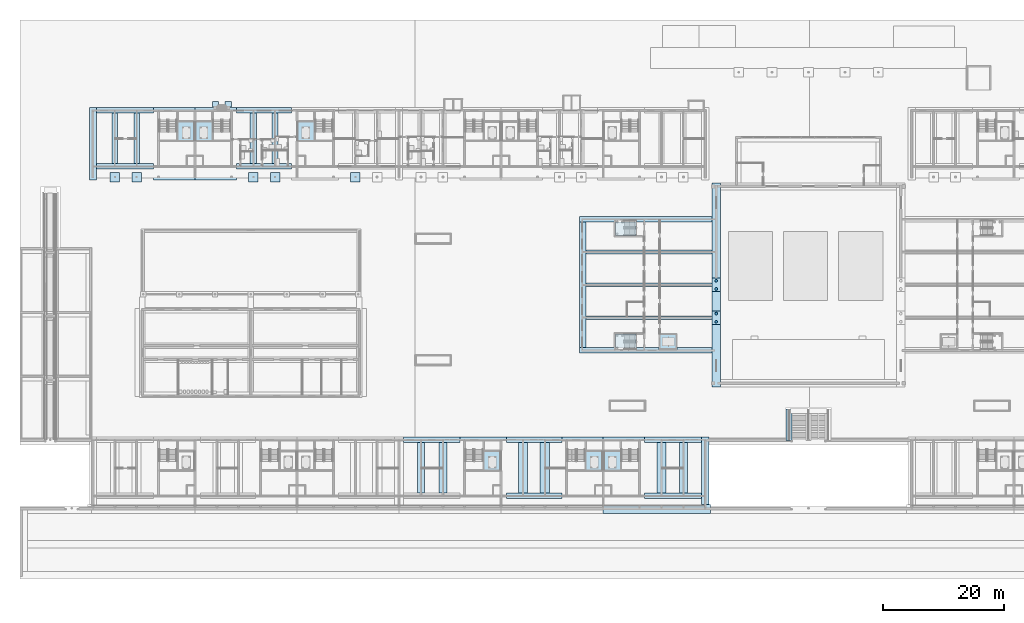
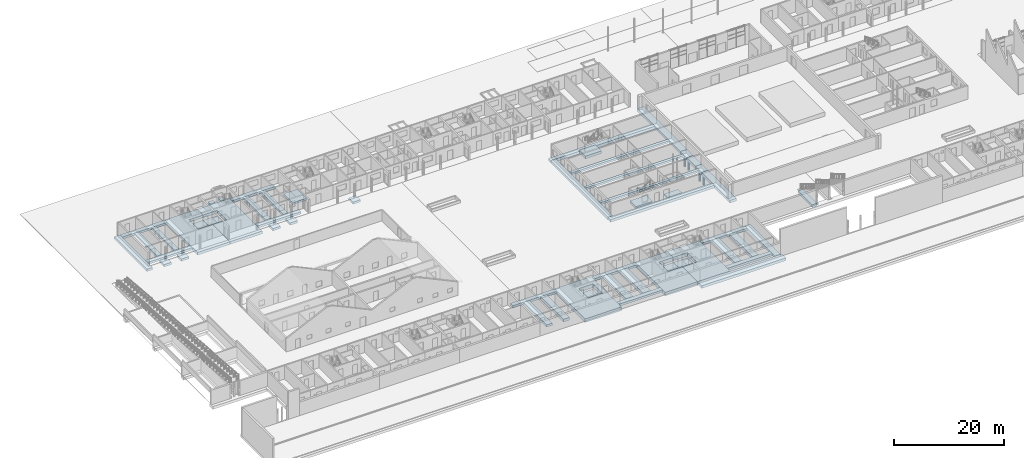
# One storey, part 2 of 112: 55 footings, 4 piles.
"""IFC4 building model written with IfcOpenShell, lengths in metres."""

from ifc_helpers import new_model, si_unit, direction, frame, origin, origin_2d, place, context, subcontext, project, spatial, polyline, circle, outline, extrude, material, material_profile, profile_set, type_object, element, save


model = new_model("IFC4")

# Units and contexts
model_context = context("Model", 3, precision=1e-05, world=origin(), true_north=direction((0.0, 1.0)))
body_context = subcontext(model_context, "Body", "Model", "MODEL_VIEW")
ifc_project = project(units=[si_unit("LENGTHUNIT", "METRE"), si_unit("AREAUNIT", "SQUARE_METRE"), si_unit("VOLUMEUNIT", "CUBIC_METRE"), si_unit("PLANEANGLEUNIT", "RADIAN"), si_unit("MASSUNIT", "GRAM", prefix="KILO")], contexts=[model_context])

# Site, building, storey
site_placement = place(None, origin())
site = spatial("IfcSite", under=ifc_project, at=site_placement, CompositionType="ELEMENT")
building_placement = place(site_placement, origin())
building = spatial("IfcBuilding", under=site, at=building_placement, Name="Ridgestep Commons", CompositionType="ELEMENT")
storey_placement = place(building_placement, origin())
storey = spatial("IfcBuildingStorey", under=building, at=storey_placement, Name="L00", CompositionType="ELEMENT", Elevation=0.0)

# Piles
ifc_material_1 = material(Name="Concrete C30/37", Category="concrete")
ifc_material_profile = material_profile(ifc_material_1, circle(Radius=0.22509765625, at=origin_2d()), Name="Pile D450")
ifc_profile_set = profile_set([ifc_material_profile], Name="Concrete C30/37")
pile_type = type_object("IfcPileType", Name="Bored pile 450", PredefinedType="BORED", material=ifc_profile_set)
for number, where, z_axis, x_axis, name in (
    (1, (114.60009765625, 42.324951171875, -0.75), (0.0, 0.0, -1.0), (1.0, 0.0, 0.0), "Bored pile 450 hall W1.1"),
    (2, (114.60009765625, 43.675048828125, -0.75), (0.0, 0.0, -1.0), (1.0, 0.0, 0.0), "Bored pile 450 hall W1.2"),
    (3, (114.60009765625, 47.72509765625, -0.75), (0.0, 0.0, -1.0), (1.0, 0.0, 0.0), "Bored pile 450 hall W2.1"),
    (4, (114.60009765625, 49.074951171875, -0.75), (0.0, 0.0, -1.0), (1.0, 0.0, 0.0), "Bored pile 450 hall W2.2"),
):
    element("IfcPile", number, at=place(storey_placement, frame(where, z_axis=z_axis, x_axis=x_axis)), inside=storey, type_object=pile_type, Name=name, PredefinedType="BORED", context=body_context, shape_type="SweptSolid", body=[
        extrude(circle(Radius=0.22509765625, at=origin_2d()), origin(), (0.0, 0.0, 1.0), 2.75),
    ])

# Footings
ifc_material_2 = material(Name="Concrete C30/37", Category="concrete")
footing_type_1 = type_object("IfcFootingType", Name="Community lift pit raft 3000 x 3400", PredefinedType="PAD_FOOTING", material=ifc_material_2)
footing_1_placement = place(storey_placement, frame((0.0, 0.0, -1.35009765625)))
element("IfcFooting", 5, at=footing_1_placement, inside=storey, type_object=footing_type_1, Name="Lift pit raft", PredefinedType="PAD_FOOTING", context=body_context, shape_type="SweptSolid", body=[
    extrude(outline(polyline([(105.199951171875, 37.75), (108.14990234375, 37.75), (108.14990234375, 40.35009765625), (105.199951171875, 40.35009765625), (105.199951171875, 37.75)])), origin(), (0.0, 0.0, 1.0), 0.300048828125),
])
ifc_material_3 = material(Name="Concrete C30/37", Category="concrete")
footing_type_2 = type_object("IfcFootingType", Name="Community strip footing 1200 x 600", PredefinedType="STRIP_FOOTING", material=ifc_material_3)
footing_2_placement = place(storey_placement, frame((0.0, 0.0, -0.85009765625)))
element("IfcFooting", 6, at=footing_2_placement, inside=storey, type_object=footing_type_2, Name="Community strip footing 1200 x 600", PredefinedType="STRIP_FOOTING", context=body_context, shape_type="SweptSolid", body=[
    extrude(outline(polyline([(113.89990234375, 31.60009765625), (115.300048828125, 31.60009765625), (115.300048828125, 41.89990234375), (113.89990234375, 41.89990234375), (113.89990234375, 31.60009765625)])), origin(), (0.0, 0.0, 1.0), 0.60009765625),
])
footing_3_placement = place(storey_placement, frame((0.0, 0.0, -0.85009765625)))
element("IfcFooting", 7, at=footing_3_placement, inside=storey, type_object=footing_type_2, Name="Community strip footing 1200 x 600", PredefinedType="STRIP_FOOTING", context=body_context, shape_type="SweptSolid", body=[
    extrude(outline(polyline([(113.89990234375, 44.10009765625), (115.300048828125, 44.10009765625), (115.300048828125, 47.300048828125), (113.89990234375, 47.300048828125), (113.89990234375, 44.10009765625)])), origin(), (0.0, 0.0, 1.0), 0.60009765625),
])
footing_4_placement = place(storey_placement, frame((0.0, 0.0, -0.85009765625)))
element("IfcFooting", 8, at=footing_4_placement, inside=storey, type_object=footing_type_2, Name="Community strip footing 1200 x 600", PredefinedType="STRIP_FOOTING", context=body_context, shape_type="SweptSolid", body=[
    extrude(outline(polyline([(113.89990234375, 49.5), (115.300048828125, 49.5), (115.300048828125, 65.199951171875), (113.89990234375, 65.199951171875), (113.89990234375, 49.5)])), origin(), (0.0, 0.0, 1.0), 0.60009765625),
])
ifc_material_4 = material(Name="Concrete C30/37", Category="concrete")
footing_type_3 = type_object("IfcFootingType", Name="Community strip footing 600 x 450", PredefinedType="STRIP_FOOTING", material=ifc_material_4)
footing_5_placement = place(storey_placement, frame((0.0, 0.0, -0.699951171875)))
element("IfcFooting", 9, at=footing_5_placement, inside=storey, type_object=footing_type_3, Name="Community strip footing 600 x 450", PredefinedType="STRIP_FOOTING", context=body_context, shape_type="SweptSolid", body=[
    extrude(outline(polyline([(93.14990234375, 42.699951171875), (113.89990234375, 42.699951171875), (113.89990234375, 43.300048828125), (93.14990234375, 43.300048828125), (93.14990234375, 42.699951171875)])), origin(), (0.0, 0.0, 1.0), 0.449951171875),
])
footing_6_placement = place(storey_placement, frame((0.0, 0.0, -0.699951171875)))
element("IfcFooting", 10, at=footing_6_placement, inside=storey, type_object=footing_type_3, Name="Community strip footing 600 x 450", PredefinedType="STRIP_FOOTING", context=body_context, shape_type="SweptSolid", body=[
    extrude(outline(polyline([(93.14990234375, 48.10009765625), (113.89990234375, 48.10009765625), (113.89990234375, 48.699951171875), (93.14990234375, 48.699951171875), (93.14990234375, 48.10009765625)])), origin(), (0.0, 0.0, 1.0), 0.449951171875),
])
footing_7_placement = place(storey_placement, frame((0.0, 0.0, -0.699951171875)))
element("IfcFooting", 11, at=footing_7_placement, inside=storey, type_object=footing_type_3, Name="Community strip footing 600 x 450", PredefinedType="STRIP_FOOTING", context=body_context, shape_type="SweptSolid", body=[
    extrude(outline(polyline([(93.14990234375, 53.5), (113.89990234375, 53.5), (113.89990234375, 54.10009765625), (93.14990234375, 54.10009765625), (93.14990234375, 53.5)])), origin(), (0.0, 0.0, 1.0), 0.449951171875),
])
ifc_material_5 = material(Name="Concrete C30/37", Category="concrete")
footing_type_4 = type_object("IfcFootingType", Name="Community strip footing 900 x 600", PredefinedType="STRIP_FOOTING", material=ifc_material_5)
footing_8_placement = place(storey_placement, frame((0.0, 0.0, -0.85009765625)))
element("IfcFooting", 12, at=footing_8_placement, inside=storey, type_object=footing_type_4, Name="Community strip footing 900 x 600", PredefinedType="STRIP_FOOTING", context=body_context, shape_type="SweptSolid", body=[
    extrude(outline(polyline([(92.10009765625, 37.14990234375), (113.89990234375, 37.14990234375), (113.89990234375, 38.050048828125), (92.10009765625, 38.050048828125), (92.10009765625, 37.14990234375)])), origin(), (0.0, 0.0, 1.0), 0.60009765625),
])
footing_9_placement = place(storey_placement, frame((0.0, 0.0, -0.85009765625)))
element("IfcFooting", 13, at=footing_9_placement, inside=storey, type_object=footing_type_4, Name="Community strip footing 900 x 600", PredefinedType="STRIP_FOOTING", context=body_context, shape_type="SweptSolid", body=[
    extrude(outline(polyline([(92.10009765625, 58.75), (113.89990234375, 58.75), (113.89990234375, 59.64990234375), (92.10009765625, 59.64990234375), (92.10009765625, 58.75)])), origin(), (0.0, 0.0, 1.0), 0.60009765625),
])
footing_10_placement = place(storey_placement, frame((0.0, 0.0, -0.85009765625)))
element("IfcFooting", 14, at=footing_10_placement, inside=storey, type_object=footing_type_4, Name="Community strip footing 900 x 600", PredefinedType="STRIP_FOOTING", context=body_context, shape_type="SweptSolid", body=[
    extrude(outline(polyline([(92.10009765625, 38.050048828125), (93.14990234375, 38.050048828125), (93.14990234375, 58.75), (92.10009765625, 58.75), (92.10009765625, 38.050048828125)])), origin(), (0.0, 0.0, 1.0), 0.60009765625),
])
footing_11_placement = place(storey_placement, frame((0.0, 0.0, -0.60009765625)))
element("IfcFooting", 15, at=footing_11_placement, inside=storey, type_object=footing_type_4, Name="Stair base footing", PredefinedType="STRIP_FOOTING", context=body_context, shape_type="SweptSolid", body=[
    extrude(outline(polyline([(98.030029296875, 40.280029296875), (101.429931640625, 40.280029296875), (101.429931640625, 38.070068359375), (98.030029296875, 38.070068359375), (98.030029296875, 40.280029296875)])), origin(), (0.0, 0.0, 1.0), 0.60009765625),
])
footing_12_placement = place(storey_placement, frame((0.0, 0.0, -0.60009765625)))
element("IfcFooting", 16, at=footing_12_placement, inside=storey, type_object=footing_type_4, Name="Stair base footing", PredefinedType="STRIP_FOOTING", context=body_context, shape_type="SweptSolid", body=[
    extrude(outline(polyline([(101.429931640625, 56.52001953125), (98.030029296875, 56.52001953125), (98.030029296875, 58.72998046875), (101.429931640625, 58.72998046875), (101.429931640625, 56.52001953125)])), origin(), (0.0, 0.0, 1.0), 0.60009765625),
])
footing_13_placement = place(storey_placement, frame((0.0, 0.0, -0.75)))
element("IfcFooting", 17, at=footing_13_placement, inside=storey, type_object=footing_type_4, Name="Strip footing 900 x 600", PredefinedType="STRIP_FOOTING", context=body_context, shape_type="SweptSolid", body=[
    extrude(outline(polyline([(126.10009765625, 22.800048828125), (127.10009765625, 22.800048828125), (127.10009765625, 27.9599609375), (126.10009765625, 27.9599609375), (126.10009765625, 22.800048828125)])), origin(), (0.0, 0.0, 1.0), 0.60009765625),
])
ifc_material_6 = material(Name="Concrete C30/37", Category="concrete")
footing_type_5 = type_object("IfcFootingType", Name="Core footing 6800 x 11075 x 800", PredefinedType="PAD_FOOTING", material=ifc_material_6)
footing_14_placement = place(storey_placement, frame((0.0, 0.0, -1.050048828125)))
element("IfcFooting", 18, at=footing_14_placement, inside=storey, type_object=footing_type_5, Name="Core footing A5C", PredefinedType="PAD_FOOTING", context=body_context, shape_type="SweptSolid", body=[
    extrude(outline(polyline([(96.0, 12.25), (96.0, 17.75), (93.02490234375, 17.75), (93.02490234375, 21.14990234375), (96.0, 21.14990234375), (96.0, 23.324951171875), (89.199951171875, 23.324951171875), (89.199951171875, 12.25), (96.0, 12.25)])), origin(), (0.0, 0.0, 1.0), 0.800048828125),
])
footing_15_placement = place(storey_placement, frame((0.0, 0.0, -1.050048828125)))
element("IfcFooting", 19, at=footing_15_placement, inside=storey, type_object=footing_type_5, Name="Core footing A6C", PredefinedType="PAD_FOOTING", context=body_context, shape_type="SweptSolid", body=[
    extrude(outline(polyline([(96.0, 23.324951171875), (96.0, 21.14990234375), (98.97509765625, 21.14990234375), (98.97509765625, 17.75), (96.0, 17.75), (96.0, 12.25), (102.800048828125, 12.25), (102.800048828125, 23.324951171875), (96.0, 23.324951171875)])), origin(), (0.0, 0.0, 1.0), 0.800048828125),
])
ifc_material_7 = material(Name="Concrete C30/37", Category="concrete")
footing_type_6 = type_object("IfcFootingType", Name="Core footing 6800 x 11925 x 600", PredefinedType="PAD_FOOTING", material=ifc_material_7)
footing_16_placement = place(storey_placement, frame((0.0, 0.0, -0.85009765625)))
element("IfcFooting", 20, at=footing_16_placement, inside=storey, type_object=footing_type_6, Name="Core footing B1C", PredefinedType="PAD_FOOTING", context=body_context, shape_type="SweptSolid", body=[
    extrude(outline(polyline([(28.800048828125, 65.64990234375), (28.800048828125, 72.0), (25.824951171875, 72.0), (25.824951171875, 75.39990234375), (28.800048828125, 75.39990234375), (28.800048828125, 77.574951171875), (22.0, 77.574951171875), (22.0, 65.64990234375), (28.800048828125, 65.64990234375)])), origin(), (0.0, 0.0, 1.0), 0.60009765625),
])
footing_17_placement = place(storey_placement, frame((0.0, 0.0, -0.85009765625)))
element("IfcFooting", 21, at=footing_17_placement, inside=storey, type_object=footing_type_6, Name="Core footing B2C", PredefinedType="PAD_FOOTING", context=body_context, shape_type="SweptSolid", body=[
    extrude(outline(polyline([(28.800048828125, 77.574951171875), (28.800048828125, 75.39990234375), (31.77490234375, 75.39990234375), (31.77490234375, 72.0), (28.800048828125, 72.0), (28.800048828125, 65.64990234375), (35.60009765625, 65.64990234375), (35.60009765625, 77.574951171875), (28.800048828125, 77.574951171875)])), origin(), (0.0, 0.0, 1.0), 0.60009765625),
])
ifc_material_8 = material(Name="Concrete C30/37", Category="concrete")
footing_type_7 = type_object("IfcFootingType", Name="Core footing 7700 x 11075 x 800", PredefinedType="PAD_FOOTING", material=ifc_material_8)
footing_18_placement = place(storey_placement, frame((0.0, 0.0, -1.050048828125)))
element("IfcFooting", 22, at=footing_18_placement, inside=storey, type_object=footing_type_7, Name="Core footing A4C", PredefinedType="PAD_FOOTING", context=body_context, shape_type="SweptSolid", body=[
    extrude(outline(polyline([(72.39990234375, 12.25), (80.10009765625, 12.25), (80.10009765625, 23.324951171875), (72.39990234375, 23.324951171875), (72.39990234375, 12.25)]), holes=[polyline([(79.199951171875, 21.14990234375), (79.199951171875, 17.75), (76.22509765625, 17.75), (76.22509765625, 21.14990234375), (79.199951171875, 21.14990234375)])]), origin(), (0.0, 0.0, 1.0), 0.800048828125),
])
ifc_material_9 = material(Name="Concrete C30/37", Category="concrete")
footing_type_8 = type_object("IfcFootingType", Name="Hall pile cap 2200 x 1400 x 600", PredefinedType="PILE_CAP", material=ifc_material_9)
footing_19_placement = place(storey_placement, frame((0.0, 0.0, -0.85009765625)))
element("IfcFooting", 23, at=footing_19_placement, inside=storey, type_object=footing_type_8, Name="Hall pile cap 2200 x 1400 x 600", PredefinedType="PILE_CAP", context=body_context, shape_type="SweptSolid", body=[
    extrude(outline(polyline([(113.89990234375, 41.89990234375), (115.300048828125, 41.89990234375), (115.300048828125, 44.10009765625), (113.89990234375, 44.10009765625), (113.89990234375, 41.89990234375)])), origin(), (0.0, 0.0, 1.0), 0.60009765625),
])
footing_20_placement = place(storey_placement, frame((0.0, 0.0, -0.85009765625)))
element("IfcFooting", 24, at=footing_20_placement, inside=storey, type_object=footing_type_8, Name="Hall pile cap 2200 x 1400 x 600", PredefinedType="PILE_CAP", context=body_context, shape_type="SweptSolid", body=[
    extrude(outline(polyline([(113.89990234375, 47.300048828125), (115.300048828125, 47.300048828125), (115.300048828125, 49.5), (113.89990234375, 49.5), (113.89990234375, 47.300048828125)])), origin(), (0.0, 0.0, 1.0), 0.60009765625),
])
ifc_material_10 = material(Name="Concrete C30/37", Category="concrete")
footing_type_9 = type_object("IfcFootingType", Name="Lift pit footing 2975 x 3400 x 400", PredefinedType="PAD_FOOTING", material=ifc_material_10)
footing_21_placement = place(storey_placement, frame((0.0, 0.0, -1.800048828125)))
element("IfcFooting", 25, at=footing_21_placement, inside=storey, type_object=footing_type_9, Name="Lift pit footing B1C", PredefinedType="PAD_FOOTING", context=body_context, shape_type="SweptSolid", body=[
    extrude(outline(polyline([(28.800048828125, 72.0), (28.800048828125, 75.39990234375), (25.824951171875, 75.39990234375), (25.824951171875, 72.0), (28.800048828125, 72.0)])), origin(), (0.0, 0.0, 1.0), 0.400146484375),
])
footing_22_placement = place(storey_placement, frame((0.0, 0.0, -1.800048828125)))
element("IfcFooting", 26, at=footing_22_placement, inside=storey, type_object=footing_type_9, Name="Lift pit footing B2C", PredefinedType="PAD_FOOTING", context=body_context, shape_type="SweptSolid", body=[
    extrude(outline(polyline([(31.77490234375, 72.0), (31.77490234375, 75.39990234375), (28.800048828125, 75.39990234375), (28.800048828125, 72.0), (31.77490234375, 72.0)])), origin(), (0.0, 0.0, 1.0), 0.400146484375),
])
footing_23_placement = place(storey_placement, frame((0.0, 0.0, -1.800048828125)))
element("IfcFooting", 27, at=footing_23_placement, inside=storey, type_object=footing_type_9, Name="Lift pit footing B3C", PredefinedType="PAD_FOOTING", context=body_context, shape_type="SweptSolid", body=[
    extrude(outline(polyline([(48.574951171875, 72.0), (48.574951171875, 75.39990234375), (45.60009765625, 75.39990234375), (45.60009765625, 72.0), (48.574951171875, 72.0)])), origin(), (0.0, 0.0, 1.0), 0.400146484375),
])
footing_24_placement = place(storey_placement, frame((0.0, 0.0, -1.800048828125)))
element("IfcFooting", 28, at=footing_24_placement, inside=storey, type_object=footing_type_9, Name="Lift pit footing A4C", PredefinedType="PAD_FOOTING", context=body_context, shape_type="SweptSolid", body=[
    extrude(outline(polyline([(79.199951171875, 17.75), (79.199951171875, 21.14990234375), (76.22509765625, 21.14990234375), (76.22509765625, 17.75), (79.199951171875, 17.75)])), origin(), (0.0, 0.0, 1.0), 0.400146484375),
])
footing_25_placement = place(storey_placement, frame((0.0, 0.0, -1.800048828125)))
element("IfcFooting", 29, at=footing_25_placement, inside=storey, type_object=footing_type_9, Name="Lift pit footing A5C", PredefinedType="PAD_FOOTING", context=body_context, shape_type="SweptSolid", body=[
    extrude(outline(polyline([(96.0, 17.75), (96.0, 21.14990234375), (93.02490234375, 21.14990234375), (93.02490234375, 17.75), (96.0, 17.75)])), origin(), (0.0, 0.0, 1.0), 0.400146484375),
])
footing_26_placement = place(storey_placement, frame((0.0, 0.0, -1.800048828125)))
element("IfcFooting", 30, at=footing_26_placement, inside=storey, type_object=footing_type_9, Name="Lift pit footing A6C", PredefinedType="PAD_FOOTING", context=body_context, shape_type="SweptSolid", body=[
    extrude(outline(polyline([(98.97509765625, 17.75), (98.97509765625, 21.14990234375), (96.0, 21.14990234375), (96.0, 17.75), (98.97509765625, 17.75)])), origin(), (0.0, 0.0, 1.0), 0.400146484375),
])
ifc_material_11 = material(Name="Concrete C30/37", Category="concrete")
footing_type_10 = type_object("IfcFootingType", Name="Pad footing 1600 x 1600 x 500", PredefinedType="PAD_FOOTING", material=ifc_material_11)
footing_27_placement = place(storey_placement, frame((0.0, 0.0, -0.75)))
element("IfcFooting", 31, at=footing_27_placement, inside=storey, type_object=footing_type_10, Name="Pad footing B 0156", PredefinedType="PAD_FOOTING", context=body_context, shape_type="SweptSolid", body=[
    extrude(outline(polyline([(16.39990234375, 65.324951171875), (16.39990234375, 66.925048828125), (14.800048828125, 66.925048828125), (14.800048828125, 65.324951171875), (16.39990234375, 65.324951171875)])), origin(), (0.0, 0.0, 1.0), 0.5),
])
footing_28_placement = place(storey_placement, frame((0.0, 0.0, -0.75)))
element("IfcFooting", 32, at=footing_28_placement, inside=storey, type_object=footing_type_10, Name="Pad footing B 0192", PredefinedType="PAD_FOOTING", context=body_context, shape_type="SweptSolid", body=[
    extrude(outline(polyline([(20.0, 65.324951171875), (20.0, 66.925048828125), (18.39990234375, 66.925048828125), (18.39990234375, 65.324951171875), (20.0, 65.324951171875)])), origin(), (0.0, 0.0, 1.0), 0.5),
])
footing_29_placement = place(storey_placement, frame((0.0, 0.0, -0.75)))
element("IfcFooting", 33, at=footing_29_placement, inside=storey, type_object=footing_type_10, Name="Pad footing B 0384", PredefinedType="PAD_FOOTING", context=body_context, shape_type="SweptSolid", body=[
    extrude(outline(polyline([(39.199951171875, 65.324951171875), (39.199951171875, 66.925048828125), (37.60009765625, 66.925048828125), (37.60009765625, 65.324951171875), (39.199951171875, 65.324951171875)])), origin(), (0.0, 0.0, 1.0), 0.5),
])
footing_30_placement = place(storey_placement, frame((0.0, 0.0, -0.75)))
element("IfcFooting", 34, at=footing_30_placement, inside=storey, type_object=footing_type_10, Name="Pad footing B 0420", PredefinedType="PAD_FOOTING", context=body_context, shape_type="SweptSolid", body=[
    extrude(outline(polyline([(42.800048828125, 65.324951171875), (42.800048828125, 66.925048828125), (41.199951171875, 66.925048828125), (41.199951171875, 65.324951171875), (42.800048828125, 65.324951171875)])), origin(), (0.0, 0.0, 1.0), 0.5),
])
footing_31_placement = place(storey_placement, frame((0.0, 0.0, -0.75)))
element("IfcFooting", 35, at=footing_31_placement, inside=storey, type_object=footing_type_10, Name="Pad footing B 0552", PredefinedType="PAD_FOOTING", context=body_context, shape_type="SweptSolid", body=[
    extrude(outline(polyline([(56.0, 65.324951171875), (56.0, 66.925048828125), (54.39990234375, 66.925048828125), (54.39990234375, 65.324951171875), (56.0, 65.324951171875)])), origin(), (0.0, 0.0, 1.0), 0.5),
])
ifc_material_12 = material(Name="Concrete C30/37", Category="concrete")
footing_type_11 = type_object("IfcFootingType", Name="Portal pier pad 1000 x 1000 x 400", PredefinedType="PAD_FOOTING", material=ifc_material_12)
footing_32_placement = place(storey_placement, frame((0.0, 0.0, -0.64990234375)))
element("IfcFooting", 36, at=footing_32_placement, inside=storey, type_object=footing_type_11, Name="Portal pad B1", PredefinedType="PAD_FOOTING", context=body_context, shape_type="SweptSolid", body=[
    extrude(outline(polyline([(31.675048828125, 77.64990234375), (32.675048828125, 77.64990234375), (32.675048828125, 78.550048828125), (31.675048828125, 78.550048828125), (31.675048828125, 77.64990234375)])), origin(), (0.0, 0.0, 1.0), 0.39990234375),
])
footing_33_placement = place(storey_placement, frame((0.0, 0.0, -0.64990234375)))
element("IfcFooting", 37, at=footing_33_placement, inside=storey, type_object=footing_type_11, Name="Portal pad B2", PredefinedType="PAD_FOOTING", context=body_context, shape_type="SweptSolid", body=[
    extrude(outline(polyline([(33.77490234375, 77.64990234375), (34.77490234375, 77.64990234375), (34.77490234375, 78.550048828125), (33.77490234375, 78.550048828125), (33.77490234375, 77.64990234375)])), origin(), (0.0, 0.0, 1.0), 0.39990234375),
])
ifc_material_13 = material(Name="Concrete C30/37", Category="concrete")
footing_type_12 = type_object("IfcFootingType", Name="Strip footing 1000 x 500", PredefinedType="STRIP_FOOTING", material=ifc_material_13)
footing_34_placement = place(storey_placement, frame((0.0, 0.0, -0.75)))
element("IfcFooting", 38, at=footing_34_placement, inside=storey, type_object=footing_type_12, Name="Strip footing B line 0420", PredefinedType="STRIP_FOOTING", context=body_context, shape_type="SweptSolid", body=[
    extrude(outline(polyline([(42.5, 68.35009765625), (42.5, 76.675048828125), (41.5, 76.675048828125), (41.5, 68.35009765625), (42.5, 68.35009765625)])), origin(), (0.0, 0.0, 1.0), 0.5),
])
ifc_material_14 = material(Name="Concrete C30/37", Category="concrete")
footing_type_13 = type_object("IfcFootingType", Name="Strip footing 1100 x 500", PredefinedType="STRIP_FOOTING", material=ifc_material_14)
footing_35_placement = place(storey_placement, frame((0.0, 0.0, -0.75)))
element("IfcFooting", 39, at=footing_35_placement, inside=storey, type_object=footing_type_13, Name="Strip footing B line 0384", PredefinedType="STRIP_FOOTING", context=body_context, shape_type="SweptSolid", body=[
    extrude(outline(polyline([(38.949951171875, 68.35009765625), (38.949951171875, 76.675048828125), (37.85009765625, 76.675048828125), (37.85009765625, 68.35009765625), (38.949951171875, 68.35009765625)])), origin(), (0.0, 0.0, 1.0), 0.5),
])
ifc_material_15 = material(Name="Concrete C30/37", Category="concrete")
footing_type_14 = type_object("IfcFootingType", Name="Strip footing 1200 x 500", PredefinedType="STRIP_FOOTING", material=ifc_material_15)
footing_36_placement = place(storey_placement, frame((0.0, 0.0, -0.75)))
element("IfcFooting", 40, at=footing_36_placement, inside=storey, type_object=footing_type_14, Name="Strip footing B line 0120", PredefinedType="STRIP_FOOTING", context=body_context, shape_type="SweptSolid", body=[
    extrude(outline(polyline([(12.60009765625, 65.64990234375), (12.60009765625, 77.574951171875), (11.39990234375, 77.574951171875), (11.39990234375, 65.64990234375), (12.60009765625, 65.64990234375)])), origin(), (0.0, 0.0, 1.0), 0.5),
])
footing_37_placement = place(storey_placement, frame((0.0, 0.0, -0.75)))
element("IfcFooting", 41, at=footing_37_placement, inside=storey, type_object=footing_type_14, Name="Strip footing A line 0660", PredefinedType="STRIP_FOOTING", context=body_context, shape_type="SweptSolid", body=[
    extrude(outline(polyline([(66.60009765625, 14.10009765625), (66.60009765625, 22.425048828125), (65.39990234375, 22.425048828125), (65.39990234375, 14.10009765625), (66.60009765625, 14.10009765625)])), origin(), (0.0, 0.0, 1.0), 0.5),
])
footing_38_placement = place(storey_placement, frame((0.0, 0.0, -0.75)))
element("IfcFooting", 42, at=footing_38_placement, inside=storey, type_object=footing_type_14, Name="Strip footing A line 1128", PredefinedType="STRIP_FOOTING", context=body_context, shape_type="SweptSolid", body=[
    extrude(outline(polyline([(113.39990234375, 12.25), (113.39990234375, 23.324951171875), (112.199951171875, 23.324951171875), (112.199951171875, 12.25), (113.39990234375, 12.25)])), origin(), (0.0, 0.0, 1.0), 0.5),
])
ifc_material_16 = material(Name="Concrete C30/37", Category="concrete")
footing_type_15 = type_object("IfcFootingType", Name="Strip footing 1300 x 600", PredefinedType="STRIP_FOOTING", material=ifc_material_16)
footing_39_placement = place(storey_placement, frame((0.0, 0.0, -0.85009765625)))
element("IfcFooting", 43, at=footing_39_placement, inside=storey, type_object=footing_type_15, Name="Strip footing A line 0696", PredefinedType="STRIP_FOOTING", context=body_context, shape_type="SweptSolid", body=[
    extrude(outline(polyline([(70.25, 14.10009765625), (70.25, 22.425048828125), (68.949951171875, 22.425048828125), (68.949951171875, 14.10009765625), (70.25, 14.10009765625)])), origin(), (0.0, 0.0, 1.0), 0.60009765625),
])
footing_40_placement = place(storey_placement, frame((0.0, 0.0, -0.85009765625)))
element("IfcFooting", 44, at=footing_40_placement, inside=storey, type_object=footing_type_15, Name="Strip footing A line 1092", PredefinedType="STRIP_FOOTING", context=body_context, shape_type="SweptSolid", body=[
    extrude(outline(polyline([(109.85009765625, 14.10009765625), (109.85009765625, 22.425048828125), (108.550048828125, 22.425048828125), (108.550048828125, 14.10009765625), (109.85009765625, 14.10009765625)])), origin(), (0.0, 0.0, 1.0), 0.60009765625),
])
ifc_material_17 = material(Name="Concrete C30/37", Category="concrete")
footing_type_16 = type_object("IfcFootingType", Name="Strip footing 1400 x 600", PredefinedType="STRIP_FOOTING", material=ifc_material_17)
footing_41_placement = place(storey_placement, frame((0.0, 0.0, -0.85009765625)))
element("IfcFooting", 45, at=footing_41_placement, inside=storey, type_object=footing_type_16, Name="Strip footing A line 1056", PredefinedType="STRIP_FOOTING", context=body_context, shape_type="SweptSolid", body=[
    extrude(outline(polyline([(106.300048828125, 14.10009765625), (106.300048828125, 22.425048828125), (104.89990234375, 22.425048828125), (104.89990234375, 14.10009765625), (106.300048828125, 14.10009765625)])), origin(), (0.0, 0.0, 1.0), 0.60009765625),
])
ifc_material_18 = material(Name="Concrete C30/37", Category="concrete")
footing_type_17 = type_object("IfcFootingType", Name="Strip footing 1500 x 600", PredefinedType="STRIP_FOOTING", material=ifc_material_18)
footing_42_placement = place(storey_placement, frame((0.0, 0.0, -0.85009765625)))
element("IfcFooting", 46, at=footing_42_placement, inside=storey, type_object=footing_type_17, Name="Retaining wall strip footing A south 6", PredefinedType="STRIP_FOOTING", context=body_context, shape_type="SweptSolid", body=[
    extrude(outline(polyline([(113.699951171875, 10.75), (113.699951171875, 12.25), (96.0, 12.25), (96.0, 10.75), (113.699951171875, 10.75)])), origin(), (0.0, 0.0, 1.0), 0.60009765625),
])
ifc_material_19 = material(Name="Concrete C30/37", Category="concrete")
footing_type_18 = type_object("IfcFootingType", Name="Strip footing 1500 x 700", PredefinedType="STRIP_FOOTING", material=ifc_material_19)
footing_43_placement = place(storey_placement, frame((0.0, 0.0, -0.949951171875)))
element("IfcFooting", 47, at=footing_43_placement, inside=storey, type_object=footing_type_18, Name="Strip footing A line 0828", PredefinedType="STRIP_FOOTING", context=body_context, shape_type="SweptSolid", body=[
    extrude(outline(polyline([(83.550048828125, 14.10009765625), (83.550048828125, 22.425048828125), (82.050048828125, 22.425048828125), (82.050048828125, 14.10009765625), (83.550048828125, 14.10009765625)])), origin(), (0.0, 0.0, 1.0), 0.699951171875),
])
ifc_material_20 = material(Name="Concrete C30/37", Category="concrete")
footing_type_19 = type_object("IfcFootingType", Name="Strip footing 1600 x 700", PredefinedType="STRIP_FOOTING", material=ifc_material_20)
footing_44_placement = place(storey_placement, frame((0.0, 0.0, -0.949951171875)))
element("IfcFooting", 48, at=footing_44_placement, inside=storey, type_object=footing_type_19, Name="Strip footing A line 0864", PredefinedType="STRIP_FOOTING", context=body_context, shape_type="SweptSolid", body=[
    extrude(outline(polyline([(87.199951171875, 14.10009765625), (87.199951171875, 22.425048828125), (85.60009765625, 22.425048828125), (85.60009765625, 14.10009765625), (87.199951171875, 14.10009765625)])), origin(), (0.0, 0.0, 1.0), 0.699951171875),
])
ifc_material_21 = material(Name="Concrete C30/37", Category="concrete")
footing_type_20 = type_object("IfcFootingType", Name="Strip footing 900 x 500", PredefinedType="STRIP_FOOTING", material=ifc_material_21)
footing_45_placement = place(storey_placement, frame((0.0, 0.0, -0.75)))
element("IfcFooting", 49, at=footing_45_placement, inside=storey, type_object=footing_type_20, Name="Strip footing B line 0156", PredefinedType="STRIP_FOOTING", context=body_context, shape_type="SweptSolid", body=[
    extrude(outline(polyline([(16.050048828125, 68.35009765625), (16.050048828125, 76.675048828125), (15.14990234375, 76.675048828125), (15.14990234375, 68.35009765625), (16.050048828125, 68.35009765625)])), origin(), (0.0, 0.0, 1.0), 0.5),
])
footing_46_placement = place(storey_placement, frame((0.0, 0.0, -0.75)))
element("IfcFooting", 50, at=footing_46_placement, inside=storey, type_object=footing_type_20, Name="Strip footing B line 0192", PredefinedType="STRIP_FOOTING", context=body_context, shape_type="SweptSolid", body=[
    extrude(outline(polyline([(19.64990234375, 68.35009765625), (19.64990234375, 76.675048828125), (18.75, 76.675048828125), (18.75, 68.35009765625), (19.64990234375, 68.35009765625)])), origin(), (0.0, 0.0, 1.0), 0.5),
])
footing_47_placement = place(storey_placement, frame((0.0, 0.0, -0.75)))
element("IfcFooting", 51, at=footing_47_placement, inside=storey, type_object=footing_type_20, Name="Facade strip footing B N01", PredefinedType="STRIP_FOOTING", context=body_context, shape_type="SweptSolid", body=[
    extrude(outline(polyline([(22.0, 76.675048828125), (22.0, 77.574951171875), (12.60009765625, 77.574951171875), (12.60009765625, 76.675048828125), (22.0, 76.675048828125)])), origin(), (0.0, 0.0, 1.0), 0.5),
])
footing_48_placement = place(storey_placement, frame((0.0, 0.0, -0.75)))
element("IfcFooting", 52, at=footing_48_placement, inside=storey, type_object=footing_type_20, Name="Facade strip footing B N02", PredefinedType="STRIP_FOOTING", context=body_context, shape_type="SweptSolid", body=[
    extrude(outline(polyline([(44.699951171875, 76.675048828125), (44.699951171875, 77.574951171875), (35.60009765625, 77.574951171875), (35.60009765625, 76.675048828125), (44.699951171875, 76.675048828125)])), origin(), (0.0, 0.0, 1.0), 0.5),
])
footing_49_placement = place(storey_placement, frame((0.0, 0.0, -0.75)))
element("IfcFooting", 53, at=footing_49_placement, inside=storey, type_object=footing_type_20, Name="Facade strip footing B S01", PredefinedType="STRIP_FOOTING", context=body_context, shape_type="SweptSolid", body=[
    extrude(outline(polyline([(22.0, 67.449951171875), (22.0, 68.35009765625), (12.60009765625, 68.35009765625), (12.60009765625, 67.449951171875), (22.0, 67.449951171875)])), origin(), (0.0, 0.0, 1.0), 0.5),
])
footing_50_placement = place(storey_placement, frame((0.0, 0.0, -0.75)))
element("IfcFooting", 54, at=footing_50_placement, inside=storey, type_object=footing_type_20, Name="Facade strip footing B S02", PredefinedType="STRIP_FOOTING", context=body_context, shape_type="SweptSolid", body=[
    extrude(outline(polyline([(44.699951171875, 67.449951171875), (44.699951171875, 68.35009765625), (35.60009765625, 68.35009765625), (35.60009765625, 67.449951171875), (44.699951171875, 67.449951171875)])), origin(), (0.0, 0.0, 1.0), 0.5),
])
footing_51_placement = place(storey_placement, frame((0.0, 0.0, -0.75)))
element("IfcFooting", 55, at=footing_51_placement, inside=storey, type_object=footing_type_20, Name="Facade strip footing A N04", PredefinedType="STRIP_FOOTING", context=body_context, shape_type="SweptSolid", body=[
    extrude(outline(polyline([(72.39990234375, 22.425048828125), (72.39990234375, 23.324951171875), (63.14990234375, 23.324951171875), (63.14990234375, 22.425048828125), (72.39990234375, 22.425048828125)])), origin(), (0.0, 0.0, 1.0), 0.5),
])
footing_52_placement = place(storey_placement, frame((0.0, 0.0, -0.75)))
element("IfcFooting", 56, at=footing_52_placement, inside=storey, type_object=footing_type_20, Name="Facade strip footing A N05", PredefinedType="STRIP_FOOTING", context=body_context, shape_type="SweptSolid", body=[
    extrude(outline(polyline([(89.199951171875, 22.425048828125), (89.199951171875, 23.324951171875), (80.10009765625, 23.324951171875), (80.10009765625, 22.425048828125), (89.199951171875, 22.425048828125)])), origin(), (0.0, 0.0, 1.0), 0.5),
])
footing_53_placement = place(storey_placement, frame((0.0, 0.0, -0.75)))
element("IfcFooting", 57, at=footing_53_placement, inside=storey, type_object=footing_type_20, Name="Facade strip footing A N06", PredefinedType="STRIP_FOOTING", context=body_context, shape_type="SweptSolid", body=[
    extrude(outline(polyline([(112.199951171875, 22.425048828125), (112.199951171875, 23.324951171875), (102.800048828125, 23.324951171875), (102.800048828125, 22.425048828125), (112.199951171875, 22.425048828125)])), origin(), (0.0, 0.0, 1.0), 0.5),
])
footing_54_placement = place(storey_placement, frame((0.0, 0.0, -0.75)))
element("IfcFooting", 58, at=footing_54_placement, inside=storey, type_object=footing_type_20, Name="Facade strip footing A S05", PredefinedType="STRIP_FOOTING", context=body_context, shape_type="SweptSolid", body=[
    extrude(outline(polyline([(89.199951171875, 13.199951171875), (89.199951171875, 14.10009765625), (80.10009765625, 14.10009765625), (80.10009765625, 13.199951171875), (89.199951171875, 13.199951171875)])), origin(), (0.0, 0.0, 1.0), 0.5),
])
footing_55_placement = place(storey_placement, frame((0.0, 0.0, -0.75)))
element("IfcFooting", 59, at=footing_55_placement, inside=storey, type_object=footing_type_20, Name="Facade strip footing A S06", PredefinedType="STRIP_FOOTING", context=body_context, shape_type="SweptSolid", body=[
    extrude(outline(polyline([(112.199951171875, 13.199951171875), (112.199951171875, 14.10009765625), (102.800048828125, 14.10009765625), (102.800048828125, 13.199951171875), (112.199951171875, 13.199951171875)])), origin(), (0.0, 0.0, 1.0), 0.5),
])

save(model, "model.ifc")
